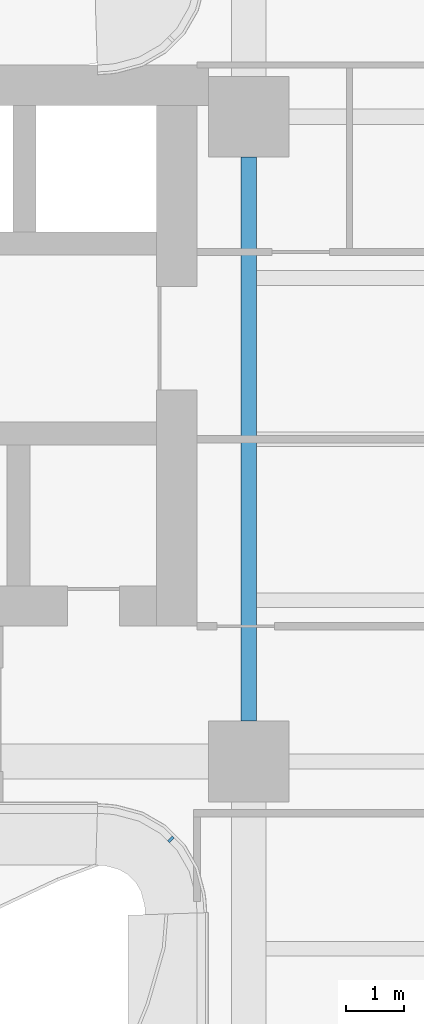
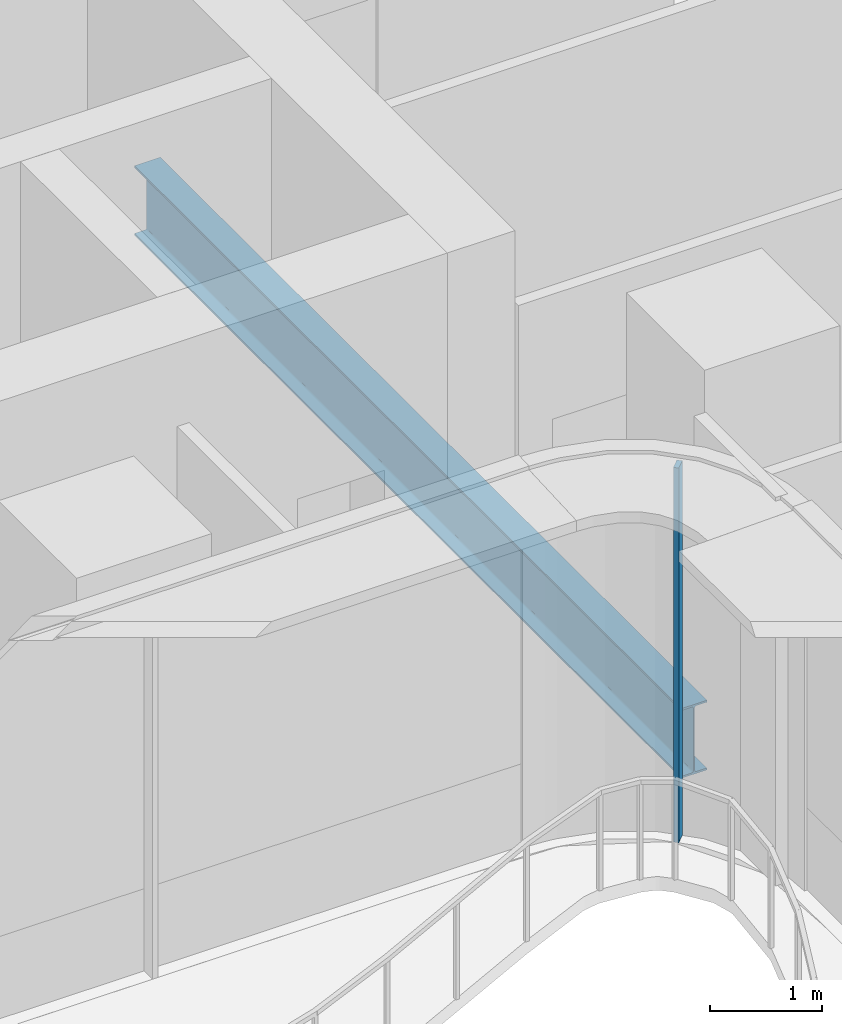
# One storey, part 4 of 22: 1 beam, 1 member, 1 element without a shape of its own.
"""IFC4 building model written with IfcOpenShell, lengths in metres."""

from ifc_helpers import new_model, si_unit, direction, frame, origin, origin_2d, place, context, subcontext, project, spatial, rectangle, i_section, extrude, source, transform, mapped, material, layer, layer_set, material_profile, profile_set, type_object, element, aggregate, save


model = new_model("IFC4")

# Units and contexts
model_context = context("Model", 3, precision=1e-05, world=origin(), true_north=direction((0.0, 1.0)))
body_context = subcontext(model_context, "Body", "Model", "MODEL_VIEW")
ifc_project = project(units=[si_unit("LENGTHUNIT", "METRE"), si_unit("AREAUNIT", "SQUARE_METRE"), si_unit("VOLUMEUNIT", "CUBIC_METRE"), si_unit("PLANEANGLEUNIT", "RADIAN"), si_unit("MASSUNIT", "GRAM", prefix="KILO")], contexts=[model_context])

# Site, building, storey
site_placement = place(None, origin())
site = spatial("IfcSite", under=ifc_project, at=site_placement, CompositionType="ELEMENT")
building_placement = place(site_placement, origin())
building = spatial("IfcBuilding", under=site, at=building_placement, Name="Trellis Farm Tower", CompositionType="ELEMENT")
storey_placement = place(building_placement, frame((0.0, 0.0, 70.0)))
storey = spatial("IfcBuildingStorey", under=building, at=storey_placement, Name="L14", CompositionType="ELEMENT", Elevation=70.0)

# Beam
ifc_material_1 = material(Name="Steel S355", Category="steel")
ifc_material_profile_1 = material_profile(ifc_material_1, i_section(OverallWidth=0.2666015625, OverallDepth=0.76220703125, WebThickness=0.014404296875, FlangeThickness=0.021484375, FilletRadius=0.0166015625, at=origin_2d()), Name="UB 762x267x173")
ifc_profile_set_1 = profile_set([ifc_material_profile_1], Name="Steel S355")
beam_type = type_object("IfcBeamType", Name="UB 762x267x173", PredefinedType="BEAM", material=ifc_profile_set_1)
shared_shape_1 = source(origin(), body_context, "Body", "SweptSolid", [
    extrude(i_section(OverallWidth=0.2666015625, OverallDepth=0.76220703125, WebThickness=0.014404296875, FlangeThickness=0.021484375, FilletRadius=0.0166015625, at=origin_2d()), origin(), (0.0, 0.0, 1.0), 9.7998046875),
])
beam_placement = place(storey_placement, frame((-5.60009765625, -4.89990234375, -0.631103515625), z_axis=(0.0, 1.0, 0.0), x_axis=(-1.0, 0.0, 0.0)))
element("IfcBeam", 1, at=beam_placement, inside=storey, type_object=beam_type, Name="Girder", PredefinedType="BEAM", context=body_context, shape_type="MappedRepresentation", body=[
    mapped(shared_shape_1, transform((0.0, 0.0, 0.0))),
])

# Curtain wall, member
ifc_material_2 = material(Name="Aluminium and glass curtain wall", Category="aluminium")
ifc_layer = layer(ifc_material_2, 0.166015625)
ifc_layer_set = layer_set([ifc_layer], Name="WINTER GARDEN CURTAIN WALL CW3")
curtain_wall_type = type_object("IfcCurtainWallType", Name="WINTER GARDEN CURTAIN WALL CW3", PredefinedType="NOTDEFINED", material=ifc_layer_set)
curtain_wall_placement = place(storey_placement, origin())
curtain_wall = element("IfcCurtainWall", 2, at=curtain_wall_placement, inside=storey, type_object=curtain_wall_type, Name="CW3 001", PredefinedType="NOTDEFINED")
ifc_material_3 = material(Name="Aluminium extrusion 6063-T6", Category="aluminium")
ifc_material_profile_2 = material_profile(ifc_material_3, rectangle(XDim=0.050048828125, YDim=0.1201171875, at=origin_2d()), Name="MULLION 50x120")
ifc_profile_set_2 = profile_set([ifc_material_profile_2], Name="Aluminium extrusion 6063-T6")
member_type = type_object("IfcMemberType", Name="CW3 MULLION 50x120", PredefinedType="MULLION", material=ifc_profile_set_2)
shared_shape_2 = source(origin(), body_context, "Body", "SweptSolid", [
    extrude(rectangle(XDim=0.050048828125, YDim=0.1201171875, at=origin_2d()), origin(), (0.0, 0.0, 1.0), 4.10009765625),
])
member_placement = place(storey_placement, frame((-6.953125, -6.953125, 0.0), z_axis=(0.0, 0.0, 1.0), x_axis=(0.707106781187, -0.707106781187, 0.0)))
member = element("IfcMember", 3, at=member_placement, type_object=member_type, Name="MU3 001-01", PredefinedType="MULLION", context=body_context, shape_type="MappedRepresentation", body=[
    mapped(shared_shape_2, transform((0.0, 0.0, 0.0))),
])
aggregate(curtain_wall, [member])

save(model, "model.ifc")
